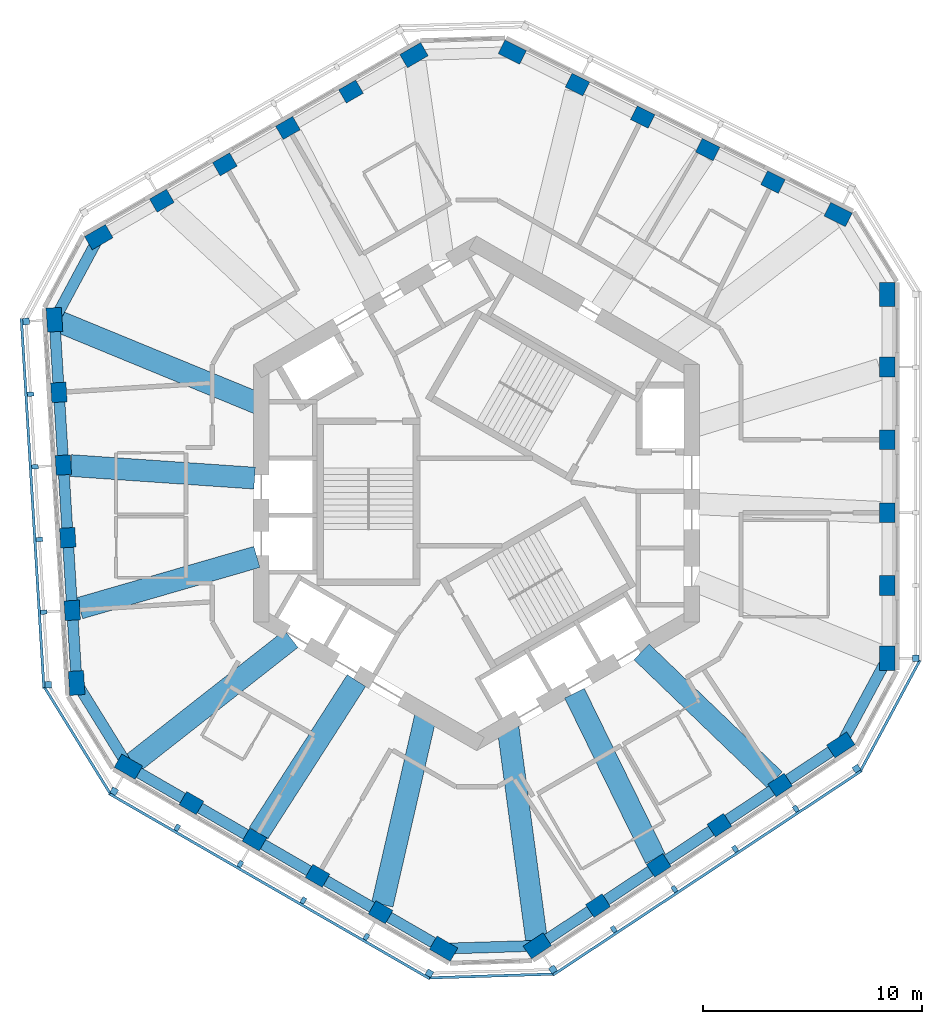
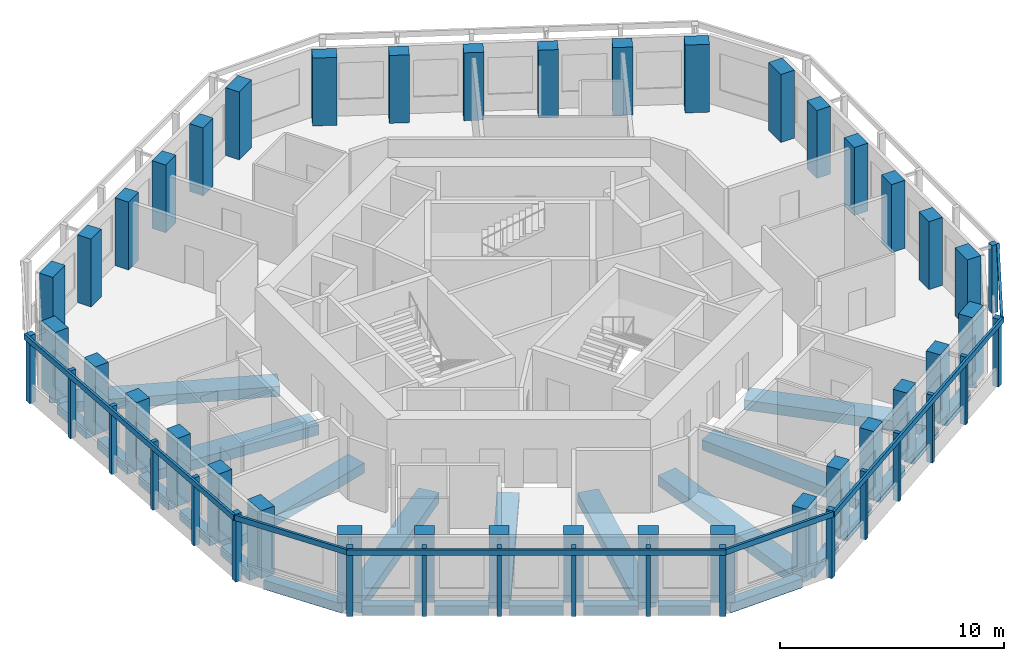
# One storey, part 1 of 11: 36 columns, 28 beams, 25 members, 7 elements without a shape of their own.
"""IFC4 building model written with IfcOpenShell, lengths in metres."""

from ifc_helpers import new_model, si_unit, direction, frame, origin, origin_2d, place, context, subcontext, project, spatial, rectangle, extrude, material, material_profile, profile_set, type_object, element, aggregate, save


model = new_model("IFC4")

# Units and contexts
model_context = context("Model", 3, precision=1e-05, world=origin(), true_north=direction((0.0, 1.0)))
body_context = subcontext(model_context, "Body", "Model", "MODEL_VIEW")
ifc_project = project(units=[si_unit("LENGTHUNIT", "METRE"), si_unit("AREAUNIT", "SQUARE_METRE"), si_unit("VOLUMEUNIT", "CUBIC_METRE"), si_unit("PLANEANGLEUNIT", "RADIAN"), si_unit("MASSUNIT", "GRAM", prefix="KILO")], contexts=[model_context])

# Site, building, storey
site_placement = place(None, origin())
site = spatial("IfcSite", under=ifc_project, at=site_placement, CompositionType="ELEMENT")
building_placement = place(site_placement, origin())
building = spatial("IfcBuilding", under=site, at=building_placement, Name="Vanh Sen Convention Tower", CompositionType="ELEMENT")
storey_placement = place(building_placement, frame((0.0, 0.0, 270.89990234375)))
storey = spatial("IfcBuildingStorey", under=building, at=storey_placement, Name="L67", CompositionType="ELEMENT", Elevation=270.89990234375)

# Columns
ifc_material_1 = material(Name="Concrete C60/75", Category="concrete")
ifc_material_profile_1 = material_profile(ifc_material_1, rectangle(XDim=0.89990234375, YDim=0.699951171875, at=origin_2d()), Name="RC 900X700")
ifc_profile_set_1 = profile_set([ifc_material_profile_1], Name="Concrete C60/75")
column_type_1 = type_object("IfcColumnType", Name="Facade column 900 x 700 C60/75", PredefinedType="COLUMN", material=ifc_profile_set_1)
for number, where, z_axis, x_axis, name in (
    (1, (18.800048828125, -4.215087890625, 0.0), (0.0, 0.0, 1.0), (0.0, 1.0, 0.0), "Facade column 02 L67"),
    (2, (18.800048828125, -0.88330078125, 0.0), (0.0, 0.0, 1.0), (0.0, 1.0, 0.0), "Facade column 03 L67"),
    (3, (18.800048828125, 2.4482421875, 0.0), (0.0, 0.0, 1.0), (0.0, 1.0, 0.0), "Facade column 04 L67"),
    (4, (18.800048828125, 5.77978515625, 0.0), (0.0, 0.0, 1.0), (0.0, 1.0, 0.0), "Facade column 05 L67"),
    (5, (13.56103515625, 14.245849609375, 0.0), (0.0, 0.0, 1.0), (-0.894934361602, 0.44619781311, 0.0), "Facade column 08 L67"),
    (6, (10.57958984375, 15.732421875, 0.0), (0.0, 0.0, 1.0), (-0.894934361602, 0.44619781311, 0.0), "Facade column 09 L67"),
    (7, (7.597900390625, 17.218994140625, 0.0), (0.0, 0.0, 1.0), (-0.894934361602, 0.44619781311, 0.0), "Facade column 10 L67"),
    (8, (4.6162109375, 18.70556640625, 0.0), (0.0, 0.0, 1.0), (-0.894934361602, 0.44619781311, 0.0), "Facade column 11 L67"),
    (9, (-5.74951171875, 18.388916015625, 0.0), (0.0, 0.0, 1.0), (-0.866025403784, -0.5, 0.0), "Facade column 14 L67"),
    (10, (-8.635009765625, 16.722900390625, 0.0), (0.0, 0.0, 1.0), (-0.866025403784, -0.5, 0.0), "Facade column 15 L67"),
    (11, (-11.520263671875, 15.05712890625, 0.0), (0.0, 0.0, 1.0), (-0.866025403784, -0.5, 0.0), "Facade column 16 L67"),
    (12, (-14.405517578125, 13.391357421875, 0.0), (0.0, 0.0, 1.0), (-0.866025403784, -0.5, 0.0), "Facade column 17 L67"),
    (13, (-19.117919921875, 4.621337890625, 0.0), (0.0, 0.0, 1.0), (0.061048539535, -0.998134798422, 0.0), "Facade column 20 L67"),
    (14, (-18.914306640625, 1.2958984375, 0.0), (0.0, 0.0, 1.0), (0.061048539535, -0.998134798422, 0.0), "Facade column 21 L67"),
    (15, (-18.7109375, -2.029541015625, 0.0), (0.0, 0.0, 1.0), (0.061048539535, -0.998134798422, 0.0), "Facade column 22 L67"),
    (16, (-18.507568359375, -5.35498046875, 0.0), (0.0, 0.0, 1.0), (0.061048539535, -0.998134798422, 0.0), "Facade column 23 L67"),
    (17, (-13.05029296875, -14.173583984375, 0.0), (0.0, 0.0, 1.0), (0.866025403784, -0.5, 0.0), "Facade column 26 L67"),
    (18, (-10.1650390625, -15.839599609375, 0.0), (0.0, 0.0, 1.0), (0.866025403784, -0.5, 0.0), "Facade column 27 L67"),
    (19, (-7.27978515625, -17.50537109375, 0.0), (0.0, 0.0, 1.0), (0.866025403784, -0.5, 0.0), "Facade column 28 L67"),
    (20, (-4.39453125, -19.171142578125, 0.0), (0.0, 0.0, 1.0), (0.866025403784, -0.5, 0.0), "Facade column 29 L67"),
    (21, (5.556640625, -18.8671875, 0.0), (0.0, 0.0, 1.0), (0.833885822067, 0.551936985312, 0.0), "Facade column 32 L67"),
    (22, (8.3349609375, -17.0283203125, 0.0), (0.0, 0.0, 1.0), (0.833885822067, 0.551936985312, 0.0), "Facade column 33 L67"),
    (23, (11.113037109375, -15.189453125, 0.0), (0.0, 0.0, 1.0), (0.833885822067, 0.551936985312, 0.0), "Facade column 34 L67"),
    (24, (13.891357421875, -13.3505859375, 0.0), (0.0, 0.0, 1.0), (0.833885822067, 0.551936985312, 0.0), "Facade column 35 L67"),
):
    element("IfcColumn", number, at=place(storey_placement, frame(where, z_axis=z_axis, x_axis=x_axis)), inside=storey, type_object=column_type_1, Name=name, PredefinedType="COLUMN", context=body_context, shape_type="SweptSolid", body=[
        extrude(rectangle(XDim=0.89990234375, YDim=0.699951171875, at=origin_2d()), origin(), (0.0, 0.0, 1.0), 3.7001953125),
    ])
ifc_material_profile_2 = material_profile(ifc_material_1, rectangle(XDim=1.10009765625, YDim=0.699951171875, at=origin_2d()), Name="RC 1100X700")
ifc_profile_set_2 = profile_set([ifc_material_profile_2], Name="Concrete C60/75")
column_type_2 = type_object("IfcColumnType", Name="Facade corner column 1100 x 700 C60/75", PredefinedType="COLUMN", material=ifc_profile_set_2)
for number, where, z_axis, x_axis, name in (
    (25, (18.800048828125, -7.546630859375, 0.0), (0.0, 0.0, 1.0), (0.0, 1.0, 0.0), "Facade column 01 L67"),
    (26, (18.800048828125, 9.111572265625, 0.0), (0.0, 0.0, 1.0), (0.0, 1.0, 0.0), "Facade column 06 L67"),
    (27, (16.542724609375, 12.75927734375, 0.0), (0.0, 0.0, 1.0), (-0.894934361602, 0.44619781311, 0.0), "Facade column 07 L67"),
    (28, (1.634765625, 20.192138671875, 0.0), (0.0, 0.0, 1.0), (-0.894934361602, 0.44619781311, 0.0), "Facade column 12 L67"),
    (29, (-2.8642578125, 20.0546875, 0.0), (0.0, 0.0, 1.0), (-0.866025403784, -0.5, 0.0), "Facade column 13 L67"),
    (30, (-17.290771484375, 11.7255859375, 0.0), (0.0, 0.0, 1.0), (-0.866025403784, -0.5, 0.0), "Facade column 18 L67"),
    (31, (-19.3212890625, 7.94677734375, 0.0), (0.0, 0.0, 1.0), (0.061048539535, -0.998134798422, 0.0), "Facade column 19 L67"),
    (32, (-18.30419921875, -8.680419921875, 0.0), (0.0, 0.0, 1.0), (0.061048539535, -0.998134798422, 0.0), "Facade column 24 L67"),
    (33, (-15.935791015625, -12.5078125, 0.0), (0.0, 0.0, 1.0), (0.866025403784, -0.5, 0.0), "Facade column 25 L67"),
    (34, (-1.50927734375, -20.8369140625, 0.0), (0.0, 0.0, 1.0), (0.866025403784, -0.5, 0.0), "Facade column 30 L67"),
    (35, (2.7783203125, -20.7060546875, 0.0), (0.0, 0.0, 1.0), (0.833885822067, 0.551936985312, 0.0), "Facade column 31 L67"),
    (36, (16.66943359375, -11.51171875, 0.0), (0.0, 0.0, 1.0), (0.833885822067, 0.551936985312, 0.0), "Facade column 36 L67"),
):
    element("IfcColumn", number, at=place(storey_placement, frame(where, z_axis=z_axis, x_axis=x_axis)), inside=storey, type_object=column_type_2, Name=name, PredefinedType="COLUMN", context=body_context, shape_type="SweptSolid", body=[
        extrude(rectangle(XDim=1.10009765625, YDim=0.699951171875, at=origin_2d()), origin(), (0.0, 0.0, 1.0), 3.7001953125),
    ])

# Curtain wall, member
ifc_material_2 = material(Name="Concrete C50/60", Category="concrete")
curtain_wall_type = type_object("IfcCurtainWallType", Name="Outer skin office zone", PredefinedType="NOTDEFINED", material=ifc_material_2)
curtain_wall_1_placement = place(storey_placement, origin())
curtain_wall_1 = element("IfcCurtainWall", 37, at=curtain_wall_1_placement, inside=storey, type_object=curtain_wall_type, Name="OUTER SKIN E L67", PredefinedType="NOTDEFINED")
ifc_material_profile_3 = material_profile(ifc_material_2, rectangle(XDim=0.300048828125, YDim=0.300048828125, at=origin_2d()), Name="Outer skin precast corner fin 300 x 300")
ifc_profile_set_3 = profile_set([ifc_material_profile_3], Name="Concrete C50/60")
member_type_1 = type_object("IfcMemberType", Name="Outer skin precast corner fin 300 x 300", PredefinedType="MULLION", material=ifc_profile_set_3)
member_1_placement = place(storey_placement, frame((20.10009765625, -7.546630859375, 0.0), z_axis=(0.0, 0.0, 1.0), x_axis=(0.0, 1.0, 0.0)))
member_1 = element("IfcMember", 38, at=member_1_placement, type_object=member_type_1, Name="OUTER SKIN CORNER FIN 1 E L67", PredefinedType="MULLION", context=body_context, shape_type="SweptSolid", body=[
    extrude(rectangle(XDim=0.300048828125, YDim=0.300048828125, at=origin_2d()), origin(), (0.0, 0.0, 1.0), 3.7001953125),
])
aggregate(curtain_wall_1, [member_1])

# Curtain wall, members
curtain_wall_2_placement = place(storey_placement, origin())
curtain_wall_2 = element("IfcCurtainWall", 39, at=curtain_wall_2_placement, inside=storey, type_object=curtain_wall_type, Name="OUTER SKIN W L67", PredefinedType="NOTDEFINED")
member_2_placement = place(storey_placement, frame((-20.618896484375, 7.867431640625, 0.0), z_axis=(0.0, 0.0, 1.0), x_axis=(0.061048539535, -0.998134798422, 0.0)))
member_2 = element("IfcMember", 40, at=member_2_placement, type_object=member_type_1, Name="OUTER SKIN CORNER FIN 1 W L67", PredefinedType="MULLION", context=body_context, shape_type="SweptSolid", body=[
    extrude(rectangle(XDim=0.300048828125, YDim=0.300048828125, at=origin_2d()), origin(), (0.0, 0.0, 1.0), 3.7001953125),
])
member_3_placement = place(storey_placement, frame((-19.601806640625, -8.759765625, 0.0), z_axis=(0.0, 0.0, 1.0), x_axis=(0.061048539535, -0.998134798422, 0.0)))
member_3 = element("IfcMember", 41, at=member_3_placement, type_object=member_type_1, Name="OUTER SKIN CORNER FIN 6 W L67", PredefinedType="MULLION", context=body_context, shape_type="SweptSolid", body=[
    extrude(rectangle(XDim=0.300048828125, YDim=0.300048828125, at=origin_2d()), origin(), (0.0, 0.0, 1.0), 3.7001953125),
])

curtain_wall_3_placement = place(storey_placement, origin())
curtain_wall_3 = element("IfcCurtainWall", 42, at=curtain_wall_3_placement, inside=storey, type_object=curtain_wall_type, Name="OUTER SKIN SW L67", PredefinedType="NOTDEFINED")
member_4_placement = place(storey_placement, frame((-16.585693359375, -13.6337890625, 0.0), z_axis=(0.0, 0.0, 1.0), x_axis=(0.866025403784, -0.5, 0.0)))
member_4 = element("IfcMember", 43, at=member_4_placement, type_object=member_type_1, Name="OUTER SKIN CORNER FIN 1 SW L67", PredefinedType="MULLION", context=body_context, shape_type="SweptSolid", body=[
    extrude(rectangle(XDim=0.300048828125, YDim=0.300048828125, at=origin_2d()), origin(), (0.0, 0.0, 1.0), 3.7001953125),
])
member_5_placement = place(storey_placement, frame((-2.1591796875, -21.962890625, 0.0), z_axis=(0.0, 0.0, 1.0), x_axis=(0.866025403784, -0.5, 0.0)))
member_5 = element("IfcMember", 44, at=member_5_placement, type_object=member_type_1, Name="OUTER SKIN CORNER FIN 6 SW L67", PredefinedType="MULLION", context=body_context, shape_type="SweptSolid", body=[
    extrude(rectangle(XDim=0.300048828125, YDim=0.300048828125, at=origin_2d()), origin(), (0.0, 0.0, 1.0), 3.7001953125),
])

curtain_wall_4_placement = place(storey_placement, origin())
curtain_wall_4 = element("IfcCurtainWall", 45, at=curtain_wall_4_placement, inside=storey, type_object=curtain_wall_type, Name="OUTER SKIN SE L67", PredefinedType="NOTDEFINED")
member_6_placement = place(storey_placement, frame((3.495849609375, -21.7900390625, 0.0), z_axis=(0.0, 0.0, 1.0), x_axis=(0.833885822067, 0.551936985312, 0.0)))
member_6 = element("IfcMember", 46, at=member_6_placement, type_object=member_type_1, Name="OUTER SKIN CORNER FIN 1 SE L67", PredefinedType="MULLION", context=body_context, shape_type="SweptSolid", body=[
    extrude(rectangle(XDim=0.300048828125, YDim=0.300048828125, at=origin_2d()), origin(), (0.0, 0.0, 1.0), 3.7001953125),
])
member_7_placement = place(storey_placement, frame((17.386962890625, -12.595703125, 0.0), z_axis=(0.0, 0.0, 1.0), x_axis=(0.833885822067, 0.551936985312, 0.0)))
member_7 = element("IfcMember", 47, at=member_7_placement, type_object=member_type_1, Name="OUTER SKIN CORNER FIN 6 SE L67", PredefinedType="MULLION", context=body_context, shape_type="SweptSolid", body=[
    extrude(rectangle(XDim=0.300048828125, YDim=0.300048828125, at=origin_2d()), origin(), (0.0, 0.0, 1.0), 3.7001953125),
])

# Member
ifc_material_profile_4 = material_profile(ifc_material_2, rectangle(XDim=0.199951171875, YDim=0.300048828125, at=origin_2d()), Name="Outer skin precast fin 200 x 300")
ifc_profile_set_4 = profile_set([ifc_material_profile_4], Name="Concrete C50/60")
member_type_2 = type_object("IfcMemberType", Name="Outer skin precast fin 200 x 300", PredefinedType="MULLION", material=ifc_profile_set_4)
member_8_placement = place(storey_placement, frame((-20.415283203125, 4.5419921875, 0.0), z_axis=(0.0, 0.0, 1.0), x_axis=(0.061048539535, -0.998134798422, 0.0)))
member_8 = element("IfcMember", 48, at=member_8_placement, type_object=member_type_2, Name="OUTER SKIN fin 2 W L67", PredefinedType="MULLION", context=body_context, shape_type="SweptSolid", body=[
    extrude(rectangle(XDim=0.199951171875, YDim=0.300048828125, at=origin_2d()), origin(), (0.0, 0.0, 1.0), 3.7001953125),
])

member_9_placement = place(storey_placement, frame((-20.2119140625, 1.216552734375, 0.0), z_axis=(0.0, 0.0, 1.0), x_axis=(0.061048539535, -0.998134798422, 0.0)))
member_9 = element("IfcMember", 49, at=member_9_placement, type_object=member_type_2, Name="OUTER SKIN fin 3 W L67", PredefinedType="MULLION", context=body_context, shape_type="SweptSolid", body=[
    extrude(rectangle(XDim=0.199951171875, YDim=0.300048828125, at=origin_2d()), origin(), (0.0, 0.0, 1.0), 3.7001953125),
])

member_10_placement = place(storey_placement, frame((-20.008544921875, -2.10888671875, 0.0), z_axis=(0.0, 0.0, 1.0), x_axis=(0.061048539535, -0.998134798422, 0.0)))
member_10 = element("IfcMember", 50, at=member_10_placement, type_object=member_type_2, Name="OUTER SKIN fin 4 W L67", PredefinedType="MULLION", context=body_context, shape_type="SweptSolid", body=[
    extrude(rectangle(XDim=0.199951171875, YDim=0.300048828125, at=origin_2d()), origin(), (0.0, 0.0, 1.0), 3.7001953125),
])

member_11_placement = place(storey_placement, frame((-19.80517578125, -5.434326171875, 0.0), z_axis=(0.0, 0.0, 1.0), x_axis=(0.061048539535, -0.998134798422, 0.0)))
member_11 = element("IfcMember", 51, at=member_11_placement, type_object=member_type_2, Name="OUTER SKIN fin 5 W L67", PredefinedType="MULLION", context=body_context, shape_type="SweptSolid", body=[
    extrude(rectangle(XDim=0.199951171875, YDim=0.300048828125, at=origin_2d()), origin(), (0.0, 0.0, 1.0), 3.7001953125),
])

member_12_placement = place(storey_placement, frame((-13.700439453125, -15.299560546875, 0.0), z_axis=(0.0, 0.0, 1.0), x_axis=(0.866025403784, -0.5, 0.0)))
member_12 = element("IfcMember", 52, at=member_12_placement, type_object=member_type_2, Name="OUTER SKIN fin 2 SW L67", PredefinedType="MULLION", context=body_context, shape_type="SweptSolid", body=[
    extrude(rectangle(XDim=0.199951171875, YDim=0.300048828125, at=origin_2d()), origin(), (0.0, 0.0, 1.0), 3.7001953125),
])

member_13_placement = place(storey_placement, frame((-10.815185546875, -16.96533203125, 0.0), z_axis=(0.0, 0.0, 1.0), x_axis=(0.866025403784, -0.5, 0.0)))
member_13 = element("IfcMember", 53, at=member_13_placement, type_object=member_type_2, Name="OUTER SKIN fin 3 SW L67", PredefinedType="MULLION", context=body_context, shape_type="SweptSolid", body=[
    extrude(rectangle(XDim=0.199951171875, YDim=0.300048828125, at=origin_2d()), origin(), (0.0, 0.0, 1.0), 3.7001953125),
])

member_14_placement = place(storey_placement, frame((-7.9296875, -18.631103515625, 0.0), z_axis=(0.0, 0.0, 1.0), x_axis=(0.866025403784, -0.5, 0.0)))
member_14 = element("IfcMember", 54, at=member_14_placement, type_object=member_type_2, Name="OUTER SKIN fin 4 SW L67", PredefinedType="MULLION", context=body_context, shape_type="SweptSolid", body=[
    extrude(rectangle(XDim=0.199951171875, YDim=0.300048828125, at=origin_2d()), origin(), (0.0, 0.0, 1.0), 3.7001953125),
])

member_15_placement = place(storey_placement, frame((-5.04443359375, -20.297119140625, 0.0), z_axis=(0.0, 0.0, 1.0), x_axis=(0.866025403784, -0.5, 0.0)))
member_15 = element("IfcMember", 55, at=member_15_placement, type_object=member_type_2, Name="OUTER SKIN fin 5 SW L67", PredefinedType="MULLION", context=body_context, shape_type="SweptSolid", body=[
    extrude(rectangle(XDim=0.199951171875, YDim=0.300048828125, at=origin_2d()), origin(), (0.0, 0.0, 1.0), 3.7001953125),
])

member_16_placement = place(storey_placement, frame((6.274169921875, -19.951416015625, 0.0), z_axis=(0.0, 0.0, 1.0), x_axis=(0.833885822067, 0.551936985312, 0.0)))
member_16 = element("IfcMember", 56, at=member_16_placement, type_object=member_type_2, Name="OUTER SKIN fin 2 SE L67", PredefinedType="MULLION", context=body_context, shape_type="SweptSolid", body=[
    extrude(rectangle(XDim=0.199951171875, YDim=0.300048828125, at=origin_2d()), origin(), (0.0, 0.0, 1.0), 3.7001953125),
])

member_17_placement = place(storey_placement, frame((9.052490234375, -18.1123046875, 0.0), z_axis=(0.0, 0.0, 1.0), x_axis=(0.833885822067, 0.551936985312, 0.0)))
member_17 = element("IfcMember", 57, at=member_17_placement, type_object=member_type_2, Name="OUTER SKIN fin 3 SE L67", PredefinedType="MULLION", context=body_context, shape_type="SweptSolid", body=[
    extrude(rectangle(XDim=0.199951171875, YDim=0.300048828125, at=origin_2d()), origin(), (0.0, 0.0, 1.0), 3.7001953125),
])

member_18_placement = place(storey_placement, frame((11.83056640625, -16.273681640625, 0.0), z_axis=(0.0, 0.0, 1.0), x_axis=(0.833885822067, 0.551936985312, 0.0)))
member_18 = element("IfcMember", 58, at=member_18_placement, type_object=member_type_2, Name="OUTER SKIN fin 4 SE L67", PredefinedType="MULLION", context=body_context, shape_type="SweptSolid", body=[
    extrude(rectangle(XDim=0.199951171875, YDim=0.300048828125, at=origin_2d()), origin(), (0.0, 0.0, 1.0), 3.7001953125),
])

member_19_placement = place(storey_placement, frame((14.60888671875, -14.434814453125, 0.0), z_axis=(0.0, 0.0, 1.0), x_axis=(0.833885822067, 0.551936985312, 0.0)))
member_19 = element("IfcMember", 59, at=member_19_placement, type_object=member_type_2, Name="OUTER SKIN fin 5 SE L67", PredefinedType="MULLION", context=body_context, shape_type="SweptSolid", body=[
    extrude(rectangle(XDim=0.199951171875, YDim=0.300048828125, at=origin_2d()), origin(), (0.0, 0.0, 1.0), 3.7001953125),
])

ifc_material_profile_5 = material_profile(ifc_material_2, rectangle(XDim=0.1201171875, YDim=0.300048828125, at=origin_2d()), Name="Outer skin precast spandrel band 300 x 120")
ifc_profile_set_5 = profile_set([ifc_material_profile_5], Name="Concrete C50/60")
member_type_3 = type_object("IfcMemberType", Name="Outer skin precast spandrel band 300 x 120", PredefinedType="USERDEFINED", material=ifc_profile_set_5)
member_20_placement = place(storey_placement, frame((-20.83740234375, 8.00439453125, 3.550048828125), z_axis=(0.061040984027, -0.998135260508, 0.0), x_axis=(0.998135260508, 0.061040984027, 0.0)))
member_20 = element("IfcMember", 60, at=member_20_placement, type_object=member_type_3, Name="OUTER SKIN spandrel band W L67", ObjectType="TRANSOM", PredefinedType="USERDEFINED", context=body_context, shape_type="SweptSolid", body=[
    extrude(rectangle(XDim=0.1201171875, YDim=0.300048828125, at=origin_2d()), origin(), (0.0, 0.0, 1.0), 16.95849609375),
])

aggregate(curtain_wall_2, [member_2, member_8, member_9, member_10, member_11, member_3, member_20])

# Curtain wall, member
curtain_wall_5_placement = place(storey_placement, origin())
curtain_wall_5 = element("IfcCurtainWall", 61, at=curtain_wall_5_placement, inside=storey, type_object=curtain_wall_type, Name="OUTER SKIN CH4 L67", PredefinedType="NOTDEFINED")
member_21_placement = place(storey_placement, frame((-19.7802734375, -8.870361328125, 3.550048828125), z_axis=(0.526199162152, -0.850361359512, 0.0), x_axis=(0.850361359512, 0.526199162152, 0.0)))
member_21 = element("IfcMember", 62, at=member_21_placement, type_object=member_type_3, Name="OUTER SKIN spandrel band CH4 L67", ObjectType="TRANSOM", PredefinedType="USERDEFINED", context=body_context, shape_type="SweptSolid", body=[
    extrude(rectangle(XDim=0.1201171875, YDim=0.300048828125, at=origin_2d()), origin(), (0.0, 0.0, 1.0), 5.7314453125),
])
aggregate(curtain_wall_5, [member_21])

# Member
member_22_placement = place(storey_placement, frame((-16.820556640625, -13.740478515625, 3.550048828125), z_axis=(0.866022320763, -0.500005339912, 0.0), x_axis=(0.500005339912, 0.866022320763, 0.0)))
member_22 = element("IfcMember", 63, at=member_22_placement, type_object=member_type_3, Name="OUTER SKIN spandrel band SW L67", ObjectType="TRANSOM", PredefinedType="USERDEFINED", context=body_context, shape_type="SweptSolid", body=[
    extrude(rectangle(XDim=0.1201171875, YDim=0.300048828125, at=origin_2d()), origin(), (0.0, 0.0, 1.0), 16.958251953125),
])

aggregate(curtain_wall_3, [member_4, member_12, member_13, member_14, member_15, member_5, member_22])

# Curtain wall, member
curtain_wall_6_placement = place(storey_placement, origin())
curtain_wall_6 = element("IfcCurtainWall", 64, at=curtain_wall_6_placement, inside=storey, type_object=curtain_wall_type, Name="OUTER SKIN CH5 L67", PredefinedType="NOTDEFINED")
member_23_placement = place(storey_placement, frame((-2.15283203125, -22.172607421875, 3.550048828125), z_axis=(0.999534504066, 0.030508608314, 0.0), x_axis=(-0.030508608314, 0.999534504066, 0.0)))
member_23 = element("IfcMember", 65, at=member_23_placement, type_object=member_type_3, Name="OUTER SKIN spandrel band CH5 L67", ObjectType="TRANSOM", PredefinedType="USERDEFINED", context=body_context, shape_type="SweptSolid", body=[
    extrude(rectangle(XDim=0.1201171875, YDim=0.300048828125, at=origin_2d()), origin(), (0.0, 0.0, 1.0), 5.65771484375),
])
aggregate(curtain_wall_6, [member_23])

# Member
member_24_placement = place(storey_placement, frame((3.48681640625, -22.048095703125, 3.550048828125), z_axis=(0.833877443168, 0.551949644239, 0.0), x_axis=(-0.551949644239, 0.833877443168, 0.0)))
member_24 = element("IfcMember", 66, at=member_24_placement, type_object=member_type_3, Name="OUTER SKIN spandrel band SE L67", ObjectType="TRANSOM", PredefinedType="USERDEFINED", context=body_context, shape_type="SweptSolid", body=[
    extrude(rectangle(XDim=0.1201171875, YDim=0.300048828125, at=origin_2d()), origin(), (0.0, 0.0, 1.0), 16.958251953125),
])

aggregate(curtain_wall_4, [member_6, member_16, member_17, member_18, member_19, member_7, member_24])

# Curtain wall, member
curtain_wall_7_placement = place(storey_placement, origin())
curtain_wall_7 = element("IfcCurtainWall", 67, at=curtain_wall_7_placement, inside=storey, type_object=curtain_wall_type, Name="OUTER SKIN CH6 L67", PredefinedType="NOTDEFINED")
member_25_placement = place(storey_placement, frame((17.572021484375, -12.695068359375, 3.550048828125), z_axis=(0.473309680768, 0.880896104028, 0.0), x_axis=(-0.880896104028, 0.473309680768, 0.0)))
member_25 = element("IfcMember", 68, at=member_25_placement, type_object=member_type_3, Name="OUTER SKIN spandrel band CH6 L67", ObjectType="TRANSOM", PredefinedType="USERDEFINED", context=body_context, shape_type="SweptSolid", body=[
    extrude(rectangle(XDim=0.1201171875, YDim=0.300048828125, at=origin_2d()), origin(), (0.0, 0.0, 1.0), 5.731689453125),
])
aggregate(curtain_wall_7, [member_25])

# Beams
ifc_material_3 = material(Name="Concrete C50/60", Category="concrete")
ifc_material_profile_6 = material_profile(ifc_material_3, rectangle(XDim=1.0, YDim=0.550048828125, at=origin_2d()), Name="RC 1000X550")
ifc_profile_set_6 = profile_set([ifc_material_profile_6], Name="Concrete C50/60")
beam_type_1 = type_object("IfcBeamType", Name="Radial floor beam 1000 x 550", PredefinedType="BEAM", material=ifc_profile_set_6)
beam_1_placement = place(storey_placement, frame((-19.190185546875, 7.892822265625, -0.554931640625), z_axis=(0.924828718845, -0.380383807225, 0.0), x_axis=(0.380383807225, 0.924828718845, 0.0)))
element("IfcBeam", 69, at=beam_1_placement, inside=storey, type_object=beam_type_1, Name="Radial beam 10 L67", PredefinedType="BEAM", context=body_context, shape_type="SweptSolid", body=[
    extrude(rectangle(XDim=1.0, YDim=0.550048828125, at=origin_2d()), origin(), (0.0, 0.0, 1.0), 9.931640625),
])
beam_2_placement = place(storey_placement, frame((-18.5673828125, 1.272216796875, -0.554931640625), z_axis=(0.997661428588, -0.068349644528, 0.0), x_axis=(0.068349644528, 0.997661428588, 0.0)))
element("IfcBeam", 70, at=beam_2_placement, inside=storey, type_object=beam_type_1, Name="Radial beam 11 L67", PredefinedType="BEAM", context=body_context, shape_type="SweptSolid", body=[
    extrude(rectangle(XDim=1.0, YDim=0.550048828125, at=origin_2d()), origin(), (0.0, 0.0, 1.0), 8.42626953125),
])
beam_3_placement = place(storey_placement, frame((-18.167724609375, -5.256591796875, -0.554931640625), z_axis=(0.96060103798, 0.277931009123, 0.0), x_axis=(-0.277931009123, 0.96060103798, 0.0)))
element("IfcBeam", 71, at=beam_3_placement, inside=storey, type_object=beam_type_1, Name="Radial beam 12 L67", PredefinedType="BEAM", context=body_context, shape_type="SweptSolid", body=[
    extrude(rectangle(XDim=1.0, YDim=0.550048828125, at=origin_2d()), origin(), (0.0, 0.0, 1.0), 8.4443359375),
])
beam_4_placement = place(storey_placement, frame((-15.80078125, -12.402099609375, -0.554931640625), z_axis=(0.786625185618, 0.617430819891, 0.0), x_axis=(-0.617430819891, 0.786625185618, 0.0)))
element("IfcBeam", 72, at=beam_4_placement, inside=storey, type_object=beam_type_1, Name="Radial beam 13 L67", PredefinedType="BEAM", context=body_context, shape_type="SweptSolid", body=[
    extrude(rectangle(XDim=1.0, YDim=0.550048828125, at=origin_2d()), origin(), (0.0, 0.0, 1.0), 9.30126953125),
])
beam_5_placement = place(storey_placement, frame((-9.978515625, -15.548828125, -0.554931640625), z_axis=(0.540096753763, 0.841602932846, 0.0), x_axis=(-0.841602932846, 0.540096753763, 0.0)))
element("IfcBeam", 73, at=beam_5_placement, inside=storey, type_object=beam_type_1, Name="Radial beam 14 L67", PredefinedType="BEAM", context=body_context, shape_type="SweptSolid", body=[
    extrude(rectangle(XDim=1.0, YDim=0.550048828125, at=origin_2d()), origin(), (0.0, 0.0, 1.0), 8.29248046875),
])
beam_6_placement = place(storey_placement, frame((-4.313720703125, -18.819091796875, -0.554931640625), z_axis=(0.22340967383, 0.974724636828, 0.0), x_axis=(-0.974724636828, 0.22340967383, 0.0)))
element("IfcBeam", 74, at=beam_6_placement, inside=storey, type_object=beam_type_1, Name="Radial beam 15 L67", PredefinedType="BEAM", context=body_context, shape_type="SweptSolid", body=[
    extrude(rectangle(XDim=1.0, YDim=0.550048828125, at=origin_2d()), origin(), (0.0, 0.0, 1.0), 8.794921875),
])
beam_7_placement = place(storey_placement, frame((2.759521484375, -20.565673828125, -0.554931640625), z_axis=(-0.132991320609, 0.991117202274, 0.0), x_axis=(-0.991117202274, -0.132991320609, 0.0)))
element("IfcBeam", 75, at=beam_7_placement, inside=storey, type_object=beam_type_1, Name="Radial beam 16 L67", PredefinedType="BEAM", context=body_context, shape_type="SweptSolid", body=[
    extrude(rectangle(XDim=1.0, YDim=0.550048828125, at=origin_2d()), origin(), (0.0, 0.0, 1.0), 9.931396484375),
])
beam_8_placement = place(storey_placement, frame((8.181884765625, -16.7158203125, -0.554931640625), z_axis=(-0.43962945739, 0.898179236119, 0.0), x_axis=(-0.898179236119, -0.43962945739, 0.0)))
element("IfcBeam", 76, at=beam_8_placement, inside=storey, type_object=beam_type_1, Name="Radial beam 17 L67", PredefinedType="BEAM", context=body_context, shape_type="SweptSolid", body=[
    extrude(rectangle(XDim=1.0, YDim=0.550048828125, at=origin_2d()), origin(), (0.0, 0.0, 1.0), 8.426025390625),
])
beam_9_placement = place(storey_placement, frame((13.63623046875, -13.10546875, -0.554931640625), z_axis=(-0.721004158524, 0.692930734916, 0.0), x_axis=(-0.692930734916, -0.721004158524, 0.0)))
element("IfcBeam", 77, at=beam_9_placement, inside=storey, type_object=beam_type_1, Name="Radial beam 18 L67", PredefinedType="BEAM", context=body_context, shape_type="SweptSolid", body=[
    extrude(rectangle(XDim=1.0, YDim=0.550048828125, at=origin_2d()), origin(), (0.0, 0.0, 1.0), 8.4443359375),
])
ifc_material_profile_7 = material_profile(ifc_material_3, rectangle(XDim=0.5, YDim=0.5, at=origin_2d()), Name="RC 500X500")
ifc_profile_set_7 = profile_set([ifc_material_profile_7], Name="Concrete C50/60")
beam_type_2 = type_object("IfcBeamType", Name="Spandrel beam 500 x 500", PredefinedType="SPANDREL", material=ifc_profile_set_7)
beam_10_placement = place(storey_placement, frame((-17.412109375, 11.5, -0.52978515625), z_axis=(-0.473286407819, -0.880908608298, 0.0), x_axis=(0.880908608298, -0.473286407819, 0.0)))
element("IfcBeam", 78, at=beam_10_placement, inside=storey, type_object=beam_type_2, Name="Spandrel beam 18 L67", PredefinedType="SPANDREL", context=body_context, shape_type="SweptSolid", body=[
    extrude(rectangle(XDim=0.5, YDim=0.5, at=origin_2d()), origin(), (0.0, 0.0, 1.0), 3.777587890625),
])
beam_11_placement = place(storey_placement, frame((-19.287841796875, 7.40283203125, -0.52978515625), z_axis=(0.060989239379, -0.998138423607, 0.0), x_axis=(0.998138423607, 0.060989239379, 0.0)))
element("IfcBeam", 79, at=beam_11_placement, inside=storey, type_object=beam_type_2, Name="Spandrel beam 19 L67", PredefinedType="SPANDREL", context=body_context, shape_type="SweptSolid", body=[
    extrude(rectangle(XDim=0.5, YDim=0.5, at=origin_2d()), origin(), (0.0, 0.0, 1.0), 2.341796875),
])
for number, where, z_axis, x_axis, name in (
    (80, (-19.090576171875, 4.17724609375, -0.52978515625), (0.060990123754, -0.998138369568, 0.0), (0.998138369568, 0.060990123754, 0.0), "Spandrel beam 20 L67"),
    (81, (-18.88720703125, 0.851806640625, -0.52978515625), (0.060990123754, -0.998138369568, 0.0), (0.998138369568, 0.060990123754, 0.0), "Spandrel beam 21 L67"),
    (82, (-18.683837890625, -2.4736328125, -0.52978515625), (0.060990123754, -0.998138369568, 0.0), (0.998138369568, 0.060990123754, 0.0), "Spandrel beam 22 L67"),
):
    element("IfcBeam", number, at=place(storey_placement, frame(where, z_axis=z_axis, x_axis=x_axis)), inside=storey, type_object=beam_type_2, Name=name, PredefinedType="SPANDREL", context=body_context, shape_type="SweptSolid", body=[
        extrude(rectangle(XDim=0.5, YDim=0.5, at=origin_2d()), origin(), (0.0, 0.0, 1.0), 2.44189453125),
    ])
beam_12_placement = place(storey_placement, frame((-18.48046875, -5.799072265625, -0.52978515625), z_axis=(0.061093105701, -0.99813207164, 0.0), x_axis=(0.99813207164, 0.061093105701, 0.0)))
element("IfcBeam", 83, at=beam_12_placement, inside=storey, type_object=beam_type_2, Name="Spandrel beam 23 L67", PredefinedType="SPANDREL", context=body_context, shape_type="SweptSolid", body=[
    extrude(rectangle(XDim=0.5, YDim=0.5, at=origin_2d()), origin(), (0.0, 0.0, 1.0), 2.341796875),
])
beam_13_placement = place(storey_placement, frame((-18.16259765625, -8.9091796875, -0.52978515625), z_axis=(0.526189173519, -0.850367540344, 0.0), x_axis=(0.850367540344, 0.526189173519, 0.0)))
element("IfcBeam", 84, at=beam_13_placement, inside=storey, type_object=beam_type_2, Name="Spandrel beam 24 L67", PredefinedType="SPANDREL", context=body_context, shape_type="SweptSolid", body=[
    extrude(rectangle(XDim=0.5, YDim=0.5, at=origin_2d()), origin(), (0.0, 0.0, 1.0), 3.962890625),
])
beam_14_placement = place(storey_placement, frame((-15.463623046875, -12.780517578125, -0.52978515625), z_axis=(0.866046683436, -0.499963140751, 0.0), x_axis=(0.499963140751, 0.866046683436, 0.0)))
element("IfcBeam", 85, at=beam_14_placement, inside=storey, type_object=beam_type_2, Name="Spandrel beam 25 L67", PredefinedType="SPANDREL", context=body_context, shape_type="SweptSolid", body=[
    extrude(rectangle(XDim=0.5, YDim=0.5, at=origin_2d()), origin(), (0.0, 0.0, 1.0), 2.341552734375),
])
for number, where, z_axis, x_axis, name in (
    (86, (-12.6650390625, -14.396240234375, -0.52978515625), (0.866000753341, -0.500042693391, 0.0), (0.500042693391, 0.866000753341, 0.0), "Spandrel beam 26 L67"),
    (87, (-9.77978515625, -16.06201171875, -0.52978515625), (0.866000753341, -0.500042693391, 0.0), (0.500042693391, 0.866000753341, 0.0), "Spandrel beam 27 L67"),
    (88, (-6.894287109375, -17.727783203125, -0.52978515625), (0.866000753341, -0.500042693391, 0.0), (0.500042693391, 0.866000753341, 0.0), "Spandrel beam 28 L67"),
):
    element("IfcBeam", number, at=place(storey_placement, frame(where, z_axis=z_axis, x_axis=x_axis)), inside=storey, type_object=beam_type_2, Name=name, PredefinedType="SPANDREL", context=body_context, shape_type="SweptSolid", body=[
        extrude(rectangle(XDim=0.5, YDim=0.5, at=origin_2d()), origin(), (0.0, 0.0, 1.0), 2.441650390625),
    ])
beam_15_placement = place(storey_placement, frame((-4.009033203125, -19.393798828125, -0.52978515625), z_axis=(0.866046683436, -0.499963140751, 0.0), x_axis=(0.499963140751, 0.866046683436, 0.0)))
element("IfcBeam", 89, at=beam_15_placement, inside=storey, type_object=beam_type_2, Name="Spandrel beam 29 L67", PredefinedType="SPANDREL", context=body_context, shape_type="SweptSolid", body=[
    extrude(rectangle(XDim=0.5, YDim=0.5, at=origin_2d()), origin(), (0.0, 0.0, 1.0), 2.341552734375),
])
beam_16_placement = place(storey_placement, frame((-1.253173828125, -20.8291015625, -0.52978515625), z_axis=(0.999534573751, 0.030506325174, 0.0), x_axis=(-0.030506325174, 0.999534573751, 0.0)))
element("IfcBeam", 90, at=beam_16_placement, inside=storey, type_object=beam_type_2, Name="Spandrel beam 30 L67", PredefinedType="SPANDREL", context=body_context, shape_type="SweptSolid", body=[
    extrude(rectangle(XDim=0.5, YDim=0.5, at=origin_2d()), origin(), (0.0, 0.0, 1.0), 3.77734375),
])
beam_17_placement = place(storey_placement, frame((3.23291015625, -20.4052734375, -0.52978515625), z_axis=(0.833874339702, 0.551954332881, 0.0), x_axis=(-0.551954332881, 0.833874339702, 0.0)))
element("IfcBeam", 91, at=beam_17_placement, inside=storey, type_object=beam_type_2, Name="Spandrel beam 31 L67", PredefinedType="SPANDREL", context=body_context, shape_type="SweptSolid", body=[
    extrude(rectangle(XDim=0.5, YDim=0.5, at=origin_2d()), origin(), (0.0, 0.0, 1.0), 2.341552734375),
])
beam_18_placement = place(storey_placement, frame((5.927734375, -18.62158203125, -0.52978515625), z_axis=(0.833891601137, 0.55192825399, 0.0), x_axis=(-0.55192825399, 0.833891601137, 0.0)))
element("IfcBeam", 92, at=beam_18_placement, inside=storey, type_object=beam_type_2, Name="Spandrel beam 32 L67", PredefinedType="SPANDREL", context=body_context, shape_type="SweptSolid", body=[
    extrude(rectangle(XDim=0.5, YDim=0.5, at=origin_2d()), origin(), (0.0, 0.0, 1.0), 2.441650390625),
])
beam_19_placement = place(storey_placement, frame((8.7060546875, -16.78271484375, -0.52978515625), z_axis=(0.833861138807, 0.551974275838, 0.0), x_axis=(-0.551974275838, 0.833861138807, 0.0)))
element("IfcBeam", 93, at=beam_19_placement, inside=storey, type_object=beam_type_2, Name="Spandrel beam 33 L67", PredefinedType="SPANDREL", context=body_context, shape_type="SweptSolid", body=[
    extrude(rectangle(XDim=0.5, YDim=0.5, at=origin_2d()), origin(), (0.0, 0.0, 1.0), 2.44140625),
])
beam_20_placement = place(storey_placement, frame((11.484130859375, -14.94384765625, -0.52978515625), z_axis=(0.833891601137, 0.55192825399, 0.0), x_axis=(-0.55192825399, 0.833891601137, 0.0)))
element("IfcBeam", 94, at=beam_20_placement, inside=storey, type_object=beam_type_2, Name="Spandrel beam 34 L67", PredefinedType="SPANDREL", context=body_context, shape_type="SweptSolid", body=[
    extrude(rectangle(XDim=0.5, YDim=0.5, at=origin_2d()), origin(), (0.0, 0.0, 1.0), 2.441650390625),
])
beam_21_placement = place(storey_placement, frame((14.262451171875, -13.10498046875, -0.52978515625), z_axis=(0.833874339702, 0.551954332881, 0.0), x_axis=(-0.551954332881, 0.833874339702, 0.0)))
element("IfcBeam", 95, at=beam_21_placement, inside=storey, type_object=beam_type_2, Name="Spandrel beam 35 L67", PredefinedType="SPANDREL", context=body_context, shape_type="SweptSolid", body=[
    extrude(rectangle(XDim=0.5, YDim=0.5, at=origin_2d()), origin(), (0.0, 0.0, 1.0), 2.341552734375),
])
beam_22_placement = place(storey_placement, frame((16.796875, -11.274658203125, -0.52978515625), z_axis=(0.473313460083, 0.880894073373, 0.0), x_axis=(-0.880894073373, 0.473313460083, 0.0)))
element("IfcBeam", 96, at=beam_22_placement, inside=storey, type_object=beam_type_2, Name="Spandrel beam 36 L67", PredefinedType="SPANDREL", context=body_context, shape_type="SweptSolid", body=[
    extrude(rectangle(XDim=0.5, YDim=0.5, at=origin_2d()), origin(), (0.0, 0.0, 1.0), 3.962890625),
])

save(model, "model.ifc")
